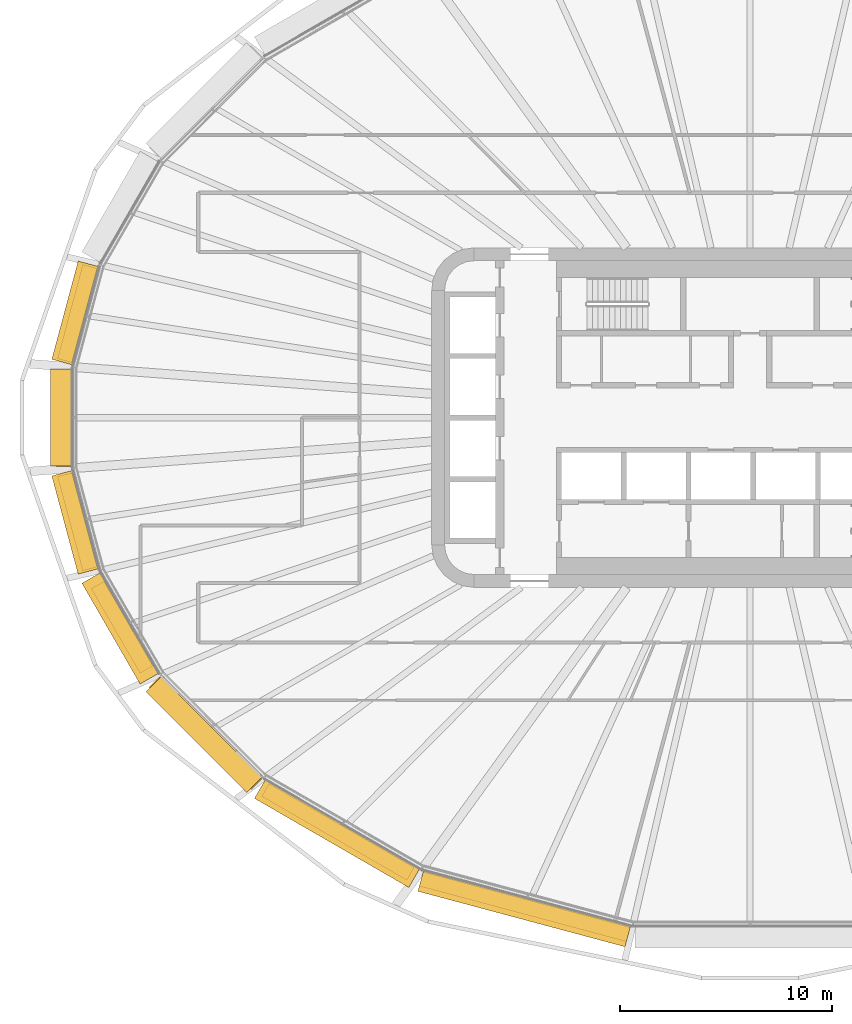
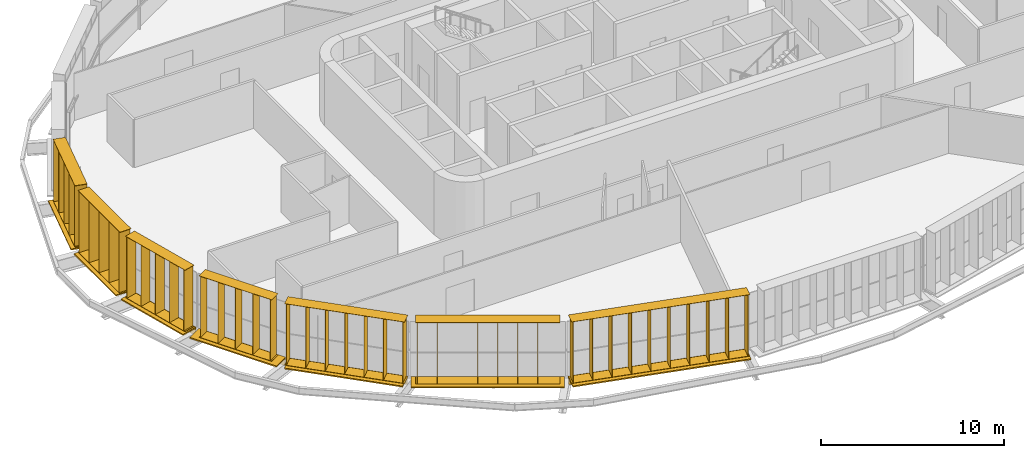
# One storey, part 20 of 25: 14 shading devices.
"""IFC4 building model written with IfcOpenShell, lengths in metres."""

from ifc_helpers import new_model, si_unit, direction, frame, origin, origin_2d, place, context, subcontext, project, spatial, rectangle, extrude, material, type_object, element, save


model = new_model("IFC4")

# Units and contexts
model_context = context("Model", 3, precision=1e-05, world=origin(), true_north=direction((0.0, 1.0)))
body_context = subcontext(model_context, "Body", "Model", "MODEL_VIEW")
ifc_project = project(units=[si_unit("LENGTHUNIT", "METRE"), si_unit("AREAUNIT", "SQUARE_METRE"), si_unit("VOLUMEUNIT", "CUBIC_METRE"), si_unit("PLANEANGLEUNIT", "RADIAN"), si_unit("MASSUNIT", "GRAM", prefix="KILO")], contexts=[model_context])

# Site, building, storey
site_placement = place(None, origin())
site = spatial("IfcSite", under=ifc_project, at=site_placement, CompositionType="ELEMENT")
building_placement = place(site_placement, origin())
building = spatial("IfcBuilding", under=site, at=building_placement, Name="Sahrelin Media Tower", CompositionType="ELEMENT")
storey_placement = place(building_placement, frame((0.0, 0.0, 110.39990234375)))
storey = spatial("IfcBuildingStorey", under=building, at=storey_placement, Name="L21", CompositionType="ELEMENT", Elevation=110.39990234375)

# Shading devices
ifc_material = material(Name="Champagne anodised aluminium 6063-T6", Category="aluminium")
shading_device_type_1 = type_object("IfcShadingDeviceType", Name="Fin cassette", PredefinedType="USERDEFINED", material=ifc_material)
placement_1 = place(storey_placement, frame((-31.298095703125, 4.798583984375, 0.0), z_axis=(0.0, 0.0, 1.0), x_axis=(0.258807731996, 0.965928857556, 0.0)))
element("IfcShadingDevice", 1, at=placement_1, inside=storey, type_object=shading_device_type_1, Name="L21:FIN:L21-11", ObjectType="FIN", PredefinedType="USERDEFINED", context=body_context, shape_type="SweptSolid", body=[
    extrude(rectangle(XDim=4.60009765625, YDim=0.699951171875, at=origin_2d()), frame((0.0, 0.419921875, 0.0)), (0.0, 0.0, 1.0), 0.02001953125),
    extrude(rectangle(XDim=4.60009765625, YDim=0.699951171875, at=origin_2d()), frame((0.0, 0.419921875, 4.10009765625)), (0.0, 0.0, 1.0), 0.02001953125),
    extrude(rectangle(XDim=0.02001953125, YDim=0.699951171875, at=origin_2d()), frame((-2.199951171875, 0.419921875, 0.010009765625), z_axis=(0.0, 0.0, 1.0), x_axis=(1.0, 0.0, 0.0)), (0.0, 0.0, 1.0), 4.10009765625),
    extrude(rectangle(XDim=0.02001953125, YDim=0.699951171875, at=origin_2d()), frame((-1.10009765625, 0.419921875, 0.010009765625), z_axis=(0.0, 0.0, 1.0), x_axis=(1.0, 0.0, 0.0)), (0.0, 0.0, 1.0), 4.10009765625),
    extrude(rectangle(XDim=0.02001953125, YDim=0.699951171875, at=origin_2d()), frame((0.0, 0.419921875, 0.010009765625), z_axis=(0.0, 0.0, 1.0), x_axis=(1.0, 0.0, 0.0)), (0.0, 0.0, 1.0), 4.10009765625),
    extrude(rectangle(XDim=0.02001953125, YDim=0.699951171875, at=origin_2d()), frame((1.10009765625, 0.419921875, 0.010009765625), z_axis=(0.0, 0.0, 1.0), x_axis=(1.0, 0.0, 0.0)), (0.0, 0.0, 1.0), 4.10009765625),
    extrude(rectangle(XDim=0.02001953125, YDim=0.699951171875, at=origin_2d()), frame((2.199951171875, 0.419921875, 0.010009765625), z_axis=(0.0, 0.0, 1.0), x_axis=(1.0, 0.0, 0.0)), (0.0, 0.0, 1.0), 4.10009765625),
])
placement_2 = place(storey_placement, frame((-31.9443359375, 0.0, 0.0), z_axis=(0.0, 0.0, 1.0), x_axis=(0.0, 1.0, 0.0)))
element("IfcShadingDevice", 2, at=placement_2, inside=storey, type_object=shading_device_type_1, Name="L21:FIN:L21-12", ObjectType="FIN", PredefinedType="USERDEFINED", context=body_context, shape_type="SweptSolid", body=[
    extrude(rectangle(XDim=4.60009765625, YDim=0.699951171875, at=origin_2d()), frame((0.0, 0.419921875, 0.0)), (0.0, 0.0, 1.0), 0.02001953125),
    extrude(rectangle(XDim=4.60009765625, YDim=0.699951171875, at=origin_2d()), frame((0.0, 0.419921875, 4.10009765625)), (0.0, 0.0, 1.0), 0.02001953125),
    extrude(rectangle(XDim=0.02001953125, YDim=0.699951171875, at=origin_2d()), frame((-2.199951171875, 0.419921875, 0.010009765625), z_axis=(0.0, 0.0, 1.0), x_axis=(1.0, 0.0, 0.0)), (0.0, 0.0, 1.0), 4.10009765625),
    extrude(rectangle(XDim=0.02001953125, YDim=0.699951171875, at=origin_2d()), frame((-1.10009765625, 0.419921875, 0.010009765625), z_axis=(0.0, 0.0, 1.0), x_axis=(1.0, 0.0, 0.0)), (0.0, 0.0, 1.0), 4.10009765625),
    extrude(rectangle(XDim=0.02001953125, YDim=0.699951171875, at=origin_2d()), frame((0.0, 0.419921875, 0.010009765625), z_axis=(0.0, 0.0, 1.0), x_axis=(1.0, 0.0, 0.0)), (0.0, 0.0, 1.0), 4.10009765625),
    extrude(rectangle(XDim=0.02001953125, YDim=0.699951171875, at=origin_2d()), frame((1.10009765625, 0.419921875, 0.010009765625), z_axis=(0.0, 0.0, 1.0), x_axis=(1.0, 0.0, 0.0)), (0.0, 0.0, 1.0), 4.10009765625),
    extrude(rectangle(XDim=0.02001953125, YDim=0.699951171875, at=origin_2d()), frame((2.199951171875, 0.419921875, 0.010009765625), z_axis=(0.0, 0.0, 1.0), x_axis=(1.0, 0.0, 0.0)), (0.0, 0.0, 1.0), 4.10009765625),
])
placement_3 = place(storey_placement, frame((-31.298095703125, -4.798828125, 0.0), z_axis=(0.0, 0.0, 1.0), x_axis=(-0.258807731996, 0.965928857556, 0.0)))
element("IfcShadingDevice", 3, at=placement_3, inside=storey, type_object=shading_device_type_1, Name="L21:FIN:L21-13", ObjectType="FIN", PredefinedType="USERDEFINED", context=body_context, shape_type="SweptSolid", body=[
    extrude(rectangle(XDim=4.60009765625, YDim=0.699951171875, at=origin_2d()), frame((0.0, 0.419921875, 0.0)), (0.0, 0.0, 1.0), 0.02001953125),
    extrude(rectangle(XDim=4.60009765625, YDim=0.699951171875, at=origin_2d()), frame((0.0, 0.419921875, 4.10009765625)), (0.0, 0.0, 1.0), 0.02001953125),
    extrude(rectangle(XDim=0.02001953125, YDim=0.699951171875, at=origin_2d()), frame((-2.199951171875, 0.419921875, 0.010009765625), z_axis=(0.0, 0.0, 1.0), x_axis=(1.0, 0.0, 0.0)), (0.0, 0.0, 1.0), 4.10009765625),
    extrude(rectangle(XDim=0.02001953125, YDim=0.699951171875, at=origin_2d()), frame((-1.10009765625, 0.419921875, 0.010009765625), z_axis=(0.0, 0.0, 1.0), x_axis=(1.0, 0.0, 0.0)), (0.0, 0.0, 1.0), 4.10009765625),
    extrude(rectangle(XDim=0.02001953125, YDim=0.699951171875, at=origin_2d()), frame((0.0, 0.419921875, 0.010009765625), z_axis=(0.0, 0.0, 1.0), x_axis=(1.0, 0.0, 0.0)), (0.0, 0.0, 1.0), 4.10009765625),
    extrude(rectangle(XDim=0.02001953125, YDim=0.699951171875, at=origin_2d()), frame((1.10009765625, 0.419921875, 0.010009765625), z_axis=(0.0, 0.0, 1.0), x_axis=(1.0, 0.0, 0.0)), (0.0, 0.0, 1.0), 4.10009765625),
    extrude(rectangle(XDim=0.02001953125, YDim=0.699951171875, at=origin_2d()), frame((2.199951171875, 0.419921875, 0.010009765625), z_axis=(0.0, 0.0, 1.0), x_axis=(1.0, 0.0, 0.0)), (0.0, 0.0, 1.0), 4.10009765625),
])
placement_4 = place(storey_placement, frame((-29.231689453125, -9.67041015625, 0.0), z_axis=(0.0, 0.0, 1.0), x_axis=(-0.500011000363, 0.866019052629, 0.0)))
element("IfcShadingDevice", 4, at=placement_4, inside=storey, type_object=shading_device_type_1, Name="L21:FIN:L21-14", ObjectType="FIN", PredefinedType="USERDEFINED", context=body_context, shape_type="SweptSolid", body=[
    extrude(rectangle(XDim=4.60009765625, YDim=0.699951171875, at=origin_2d()), frame((0.0, 0.419921875, 0.0)), (0.0, 0.0, 1.0), 0.02001953125),
    extrude(rectangle(XDim=4.60009765625, YDim=0.699951171875, at=origin_2d()), frame((0.0, 0.419921875, 4.10009765625)), (0.0, 0.0, 1.0), 0.02001953125),
    extrude(rectangle(XDim=0.02001953125, YDim=0.699951171875, at=origin_2d()), frame((-2.199951171875, 0.419921875, 0.010009765625), z_axis=(0.0, 0.0, 1.0), x_axis=(1.0, 0.0, 0.0)), (0.0, 0.0, 1.0), 4.10009765625),
    extrude(rectangle(XDim=0.02001953125, YDim=0.699951171875, at=origin_2d()), frame((-1.10009765625, 0.419921875, 0.010009765625), z_axis=(0.0, 0.0, 1.0), x_axis=(1.0, 0.0, 0.0)), (0.0, 0.0, 1.0), 4.10009765625),
    extrude(rectangle(XDim=0.02001953125, YDim=0.699951171875, at=origin_2d()), frame((0.0, 0.419921875, 0.010009765625), z_axis=(0.0, 0.0, 1.0), x_axis=(1.0, 0.0, 0.0)), (0.0, 0.0, 1.0), 4.10009765625),
    extrude(rectangle(XDim=0.02001953125, YDim=0.699951171875, at=origin_2d()), frame((1.10009765625, 0.419921875, 0.010009765625), z_axis=(0.0, 0.0, 1.0), x_axis=(1.0, 0.0, 0.0)), (0.0, 0.0, 1.0), 4.10009765625),
    extrude(rectangle(XDim=0.02001953125, YDim=0.699951171875, at=origin_2d()), frame((2.199951171875, 0.419921875, 0.010009765625), z_axis=(0.0, 0.0, 1.0), x_axis=(1.0, 0.0, 0.0)), (0.0, 0.0, 1.0), 4.10009765625),
])
placement_5 = place(storey_placement, frame((-25.371337890625, -14.5703125, 0.0), z_axis=(0.0, 0.0, 1.0), x_axis=(-0.707106781187, 0.707106781187, 0.0)))
element("IfcShadingDevice", 5, at=placement_5, inside=storey, type_object=shading_device_type_1, Name="L21:FIN:L21-15", ObjectType="FIN", PredefinedType="USERDEFINED", context=body_context, shape_type="SweptSolid", body=[
    extrude(rectangle(XDim=6.800048828125, YDim=0.699951171875, at=origin_2d()), frame((0.0, 0.419921875, 0.0)), (0.0, 0.0, 1.0), 0.02001953125),
    extrude(rectangle(XDim=6.800048828125, YDim=0.699951171875, at=origin_2d()), frame((0.0, 0.419921875, 4.10009765625)), (0.0, 0.0, 1.0), 0.02001953125),
    extrude(rectangle(XDim=0.02001953125, YDim=0.699951171875, at=origin_2d()), frame((-3.300048828125, 0.419921875, 0.010009765625), z_axis=(0.0, 0.0, 1.0), x_axis=(1.0, 0.0, 0.0)), (0.0, 0.0, 1.0), 4.10009765625),
    extrude(rectangle(XDim=0.02001953125, YDim=0.699951171875, at=origin_2d()), frame((-2.199951171875, 0.419921875, 0.010009765625), z_axis=(0.0, 0.0, 1.0), x_axis=(1.0, 0.0, 0.0)), (0.0, 0.0, 1.0), 4.10009765625),
    extrude(rectangle(XDim=0.02001953125, YDim=0.699951171875, at=origin_2d()), frame((-1.10009765625, 0.419921875, 0.010009765625), z_axis=(0.0, 0.0, 1.0), x_axis=(1.0, 0.0, 0.0)), (0.0, 0.0, 1.0), 4.10009765625),
    extrude(rectangle(XDim=0.02001953125, YDim=0.699951171875, at=origin_2d()), frame((0.0, 0.419921875, 0.010009765625), z_axis=(0.0, 0.0, 1.0), x_axis=(1.0, 0.0, 0.0)), (0.0, 0.0, 1.0), 4.10009765625),
    extrude(rectangle(XDim=0.02001953125, YDim=0.699951171875, at=origin_2d()), frame((1.10009765625, 0.419921875, 0.010009765625), z_axis=(0.0, 0.0, 1.0), x_axis=(1.0, 0.0, 0.0)), (0.0, 0.0, 1.0), 4.10009765625),
    extrude(rectangle(XDim=0.02001953125, YDim=0.699951171875, at=origin_2d()), frame((2.199951171875, 0.419921875, 0.010009765625), z_axis=(0.0, 0.0, 1.0), x_axis=(1.0, 0.0, 0.0)), (0.0, 0.0, 1.0), 4.10009765625),
    extrude(rectangle(XDim=0.02001953125, YDim=0.699951171875, at=origin_2d()), frame((3.300048828125, 0.419921875, 0.010009765625), z_axis=(0.0, 0.0, 1.0), x_axis=(1.0, 0.0, 0.0)), (0.0, 0.0, 1.0), 4.10009765625),
])
placement_6 = place(storey_placement, frame((-19.20751953125, -19.160400390625, 0.0), z_axis=(0.0, 0.0, 1.0), x_axis=(-0.866019052629, 0.500011000363, 0.0)))
element("IfcShadingDevice", 6, at=placement_6, inside=storey, type_object=shading_device_type_1, Name="L21:FIN:L21-16", ObjectType="FIN", PredefinedType="USERDEFINED", context=body_context, shape_type="SweptSolid", body=[
    extrude(rectangle(XDim=7.89990234375, YDim=0.699951171875, at=origin_2d()), frame((0.0, 0.419921875, 0.0)), (0.0, 0.0, 1.0), 0.02001953125),
    extrude(rectangle(XDim=7.89990234375, YDim=0.699951171875, at=origin_2d()), frame((0.0, 0.419921875, 4.10009765625)), (0.0, 0.0, 1.0), 0.02001953125),
    extrude(rectangle(XDim=0.02001953125, YDim=0.699951171875, at=origin_2d()), frame((-3.85009765625, 0.419921875, 0.010009765625), z_axis=(0.0, 0.0, 1.0), x_axis=(1.0, 0.0, 0.0)), (0.0, 0.0, 1.0), 4.10009765625),
    extrude(rectangle(XDim=0.02001953125, YDim=0.699951171875, at=origin_2d()), frame((-2.75, 0.419921875, 0.010009765625), z_axis=(0.0, 0.0, 1.0), x_axis=(1.0, 0.0, 0.0)), (0.0, 0.0, 1.0), 4.10009765625),
    extrude(rectangle(XDim=0.02001953125, YDim=0.699951171875, at=origin_2d()), frame((-1.64990234375, 0.419921875, 0.010009765625), z_axis=(0.0, 0.0, 1.0), x_axis=(1.0, 0.0, 0.0)), (0.0, 0.0, 1.0), 4.10009765625),
    extrude(rectangle(XDim=0.02001953125, YDim=0.699951171875, at=origin_2d()), frame((-0.550048828125, 0.419921875, 0.010009765625), z_axis=(0.0, 0.0, 1.0), x_axis=(1.0, 0.0, 0.0)), (0.0, 0.0, 1.0), 4.10009765625),
    extrude(rectangle(XDim=0.02001953125, YDim=0.699951171875, at=origin_2d()), frame((0.550048828125, 0.419921875, 0.010009765625), z_axis=(0.0, 0.0, 1.0), x_axis=(1.0, 0.0, 0.0)), (0.0, 0.0, 1.0), 4.10009765625),
    extrude(rectangle(XDim=0.02001953125, YDim=0.699951171875, at=origin_2d()), frame((1.64990234375, 0.419921875, 0.010009765625), z_axis=(0.0, 0.0, 1.0), x_axis=(1.0, 0.0, 0.0)), (0.0, 0.0, 1.0), 4.10009765625),
    extrude(rectangle(XDim=0.02001953125, YDim=0.699951171875, at=origin_2d()), frame((2.75, 0.419921875, 0.010009765625), z_axis=(0.0, 0.0, 1.0), x_axis=(1.0, 0.0, 0.0)), (0.0, 0.0, 1.0), 4.10009765625),
    extrude(rectangle(XDim=0.02001953125, YDim=0.699951171875, at=origin_2d()), frame((3.85009765625, 0.419921875, 0.010009765625), z_axis=(0.0, 0.0, 1.0), x_axis=(1.0, 0.0, 0.0)), (0.0, 0.0, 1.0), 4.10009765625),
])
placement_7 = place(storey_placement, frame((-10.507080078125, -22.643798828125, 0.0), z_axis=(0.0, 0.0, 1.0), x_axis=(-0.965928857556, 0.258807731996, 0.0)))
element("IfcShadingDevice", 7, at=placement_7, inside=storey, type_object=shading_device_type_1, Name="L21:FIN:L21-17", ObjectType="FIN", PredefinedType="USERDEFINED", context=body_context, shape_type="SweptSolid", body=[
    extrude(rectangle(XDim=10.10009765625, YDim=0.699951171875, at=origin_2d()), frame((0.0, 0.419921875, 0.0)), (0.0, 0.0, 1.0), 0.02001953125),
    extrude(rectangle(XDim=10.10009765625, YDim=0.699951171875, at=origin_2d()), frame((0.0, 0.419921875, 4.10009765625)), (0.0, 0.0, 1.0), 0.02001953125),
    extrude(rectangle(XDim=0.02001953125, YDim=0.699951171875, at=origin_2d()), frame((-4.949951171875, 0.419921875, 0.010009765625), z_axis=(0.0, 0.0, 1.0), x_axis=(1.0, 0.0, 0.0)), (0.0, 0.0, 1.0), 4.10009765625),
    extrude(rectangle(XDim=0.02001953125, YDim=0.699951171875, at=origin_2d()), frame((-3.85009765625, 0.419921875, 0.010009765625), z_axis=(0.0, 0.0, 1.0), x_axis=(1.0, 0.0, 0.0)), (0.0, 0.0, 1.0), 4.10009765625),
    extrude(rectangle(XDim=0.02001953125, YDim=0.699951171875, at=origin_2d()), frame((-2.75, 0.419921875, 0.010009765625), z_axis=(0.0, 0.0, 1.0), x_axis=(1.0, 0.0, 0.0)), (0.0, 0.0, 1.0), 4.10009765625),
    extrude(rectangle(XDim=0.02001953125, YDim=0.699951171875, at=origin_2d()), frame((-1.64990234375, 0.419921875, 0.010009765625), z_axis=(0.0, 0.0, 1.0), x_axis=(1.0, 0.0, 0.0)), (0.0, 0.0, 1.0), 4.10009765625),
    extrude(rectangle(XDim=0.02001953125, YDim=0.699951171875, at=origin_2d()), frame((-0.550048828125, 0.419921875, 0.010009765625), z_axis=(0.0, 0.0, 1.0), x_axis=(1.0, 0.0, 0.0)), (0.0, 0.0, 1.0), 4.10009765625),
    extrude(rectangle(XDim=0.02001953125, YDim=0.699951171875, at=origin_2d()), frame((0.550048828125, 0.419921875, 0.010009765625), z_axis=(0.0, 0.0, 1.0), x_axis=(1.0, 0.0, 0.0)), (0.0, 0.0, 1.0), 4.10009765625),
    extrude(rectangle(XDim=0.02001953125, YDim=0.699951171875, at=origin_2d()), frame((1.64990234375, 0.419921875, 0.010009765625), z_axis=(0.0, 0.0, 1.0), x_axis=(1.0, 0.0, 0.0)), (0.0, 0.0, 1.0), 4.10009765625),
    extrude(rectangle(XDim=0.02001953125, YDim=0.699951171875, at=origin_2d()), frame((2.75, 0.419921875, 0.010009765625), z_axis=(0.0, 0.0, 1.0), x_axis=(1.0, 0.0, 0.0)), (0.0, 0.0, 1.0), 4.10009765625),
    extrude(rectangle(XDim=0.02001953125, YDim=0.699951171875, at=origin_2d()), frame((3.85009765625, 0.419921875, 0.010009765625), z_axis=(0.0, 0.0, 1.0), x_axis=(1.0, 0.0, 0.0)), (0.0, 0.0, 1.0), 4.10009765625),
    extrude(rectangle(XDim=0.02001953125, YDim=0.699951171875, at=origin_2d()), frame((4.949951171875, 0.419921875, 0.010009765625), z_axis=(0.0, 0.0, 1.0), x_axis=(1.0, 0.0, 0.0)), (0.0, 0.0, 1.0), 4.10009765625),
])
shading_device_type_2 = type_object("IfcShadingDeviceType", Name="Sunshade band", PredefinedType="USERDEFINED", material=ifc_material)
element("IfcShadingDevice", 8, at=placement_1, inside=storey, type_object=shading_device_type_2, Name="L21:SUN:L21-11", ObjectType="SUNSHADE", PredefinedType="USERDEFINED", context=body_context, shape_type="SweptSolid", body=[
    extrude(rectangle(XDim=4.793212890625, YDim=0.050048828125, at=origin_2d()), frame((0.0, 0.044921875, -0.55126953125)), (0.0, 0.0, 1.0), 0.471435546875),
    extrude(rectangle(XDim=4.793212890625, YDim=1.0, at=origin_2d()), frame((0.0, 0.52001953125, -0.080078125)), (0.0, 0.0, 1.0), 0.080078125),
    extrude(rectangle(XDim=0.10009765625, YDim=0.074951171875, at=origin_2d()), frame((-2.296630859375, -0.017578125, -0.47021484375)), (0.0, 0.0, 1.0), 0.300048828125),
    extrude(rectangle(XDim=0.10009765625, YDim=0.074951171875, at=origin_2d()), frame((-0.765380859375, -0.017578125, -0.47021484375)), (0.0, 0.0, 1.0), 0.300048828125),
    extrude(rectangle(XDim=0.10009765625, YDim=0.074951171875, at=origin_2d()), frame((0.765380859375, -0.017578125, -0.47021484375)), (0.0, 0.0, 1.0), 0.300048828125),
    extrude(rectangle(XDim=0.10009765625, YDim=0.074951171875, at=origin_2d()), frame((2.296630859375, -0.017578125, -0.47021484375)), (0.0, 0.0, 1.0), 0.300048828125),
])
element("IfcShadingDevice", 9, at=placement_2, inside=storey, type_object=shading_device_type_2, Name="L21:SUN:L21-12", ObjectType="SUNSHADE", PredefinedType="USERDEFINED", context=body_context, shape_type="SweptSolid", body=[
    extrude(rectangle(XDim=4.574462890625, YDim=0.050048828125, at=origin_2d()), frame((0.0, 0.044921875, -0.55126953125)), (0.0, 0.0, 1.0), 0.471435546875),
    extrude(rectangle(XDim=4.574462890625, YDim=1.0, at=origin_2d()), frame((0.0, 0.52001953125, -0.080078125)), (0.0, 0.0, 1.0), 0.080078125),
    extrude(rectangle(XDim=0.10009765625, YDim=0.074951171875, at=origin_2d()), frame((-2.187255859375, -0.017578125, -0.47021484375)), (0.0, 0.0, 1.0), 0.300048828125),
    extrude(rectangle(XDim=0.10009765625, YDim=0.074951171875, at=origin_2d()), frame((-0.72900390625, -0.017578125, -0.47021484375)), (0.0, 0.0, 1.0), 0.300048828125),
    extrude(rectangle(XDim=0.10009765625, YDim=0.074951171875, at=origin_2d()), frame((0.72900390625, -0.017578125, -0.47021484375)), (0.0, 0.0, 1.0), 0.300048828125),
    extrude(rectangle(XDim=0.10009765625, YDim=0.074951171875, at=origin_2d()), frame((2.187255859375, -0.017578125, -0.47021484375)), (0.0, 0.0, 1.0), 0.300048828125),
])
element("IfcShadingDevice", 10, at=placement_3, inside=storey, type_object=shading_device_type_2, Name="L21:SUN:L21-13", ObjectType="SUNSHADE", PredefinedType="USERDEFINED", context=body_context, shape_type="SweptSolid", body=[
    extrude(rectangle(XDim=4.793212890625, YDim=0.050048828125, at=origin_2d()), frame((0.0, 0.044921875, -0.55126953125)), (0.0, 0.0, 1.0), 0.471435546875),
    extrude(rectangle(XDim=4.793212890625, YDim=1.0, at=origin_2d()), frame((0.0, 0.52001953125, -0.080078125)), (0.0, 0.0, 1.0), 0.080078125),
    extrude(rectangle(XDim=0.10009765625, YDim=0.074951171875, at=origin_2d()), frame((-2.296630859375, -0.017578125, -0.47021484375)), (0.0, 0.0, 1.0), 0.300048828125),
    extrude(rectangle(XDim=0.10009765625, YDim=0.074951171875, at=origin_2d()), frame((-0.765380859375, -0.017578125, -0.47021484375)), (0.0, 0.0, 1.0), 0.300048828125),
    extrude(rectangle(XDim=0.10009765625, YDim=0.074951171875, at=origin_2d()), frame((0.765380859375, -0.017578125, -0.47021484375)), (0.0, 0.0, 1.0), 0.300048828125),
    extrude(rectangle(XDim=0.10009765625, YDim=0.074951171875, at=origin_2d()), frame((2.296630859375, -0.017578125, -0.47021484375)), (0.0, 0.0, 1.0), 0.300048828125),
])
element("IfcShadingDevice", 11, at=placement_4, inside=storey, type_object=shading_device_type_2, Name="L21:SUN:L21-14", ObjectType="SUNSHADE", PredefinedType="USERDEFINED", context=body_context, shape_type="SweptSolid", body=[
    extrude(rectangle(XDim=5.481201171875, YDim=0.050048828125, at=origin_2d()), frame((0.0, 0.044921875, -0.55126953125)), (0.0, 0.0, 1.0), 0.471435546875),
    extrude(rectangle(XDim=5.481201171875, YDim=1.0, at=origin_2d()), frame((0.0, 0.52001953125, -0.080078125)), (0.0, 0.0, 1.0), 0.080078125),
    extrude(rectangle(XDim=0.10009765625, YDim=0.074951171875, at=origin_2d()), frame((-2.640625, -0.017578125, -0.47021484375)), (0.0, 0.0, 1.0), 0.300048828125),
    extrude(rectangle(XDim=0.10009765625, YDim=0.074951171875, at=origin_2d()), frame((-0.880126953125, -0.017578125, -0.47021484375)), (0.0, 0.0, 1.0), 0.300048828125),
    extrude(rectangle(XDim=0.10009765625, YDim=0.074951171875, at=origin_2d()), frame((0.880126953125, -0.017578125, -0.47021484375)), (0.0, 0.0, 1.0), 0.300048828125),
    extrude(rectangle(XDim=0.10009765625, YDim=0.074951171875, at=origin_2d()), frame((2.640625, -0.017578125, -0.47021484375)), (0.0, 0.0, 1.0), 0.300048828125),
])
element("IfcShadingDevice", 12, at=placement_5, inside=storey, type_object=shading_device_type_2, Name="L21:SUN:L21-15", ObjectType="SUNSHADE", PredefinedType="USERDEFINED", context=body_context, shape_type="SweptSolid", body=[
    extrude(rectangle(XDim=6.701416015625, YDim=0.050048828125, at=origin_2d()), frame((0.0, 0.044921875, -0.55126953125)), (0.0, 0.0, 1.0), 0.471435546875),
    extrude(rectangle(XDim=6.701416015625, YDim=1.0, at=origin_2d()), frame((0.0, 0.52001953125, -0.080078125)), (0.0, 0.0, 1.0), 0.080078125),
    extrude(rectangle(XDim=0.10009765625, YDim=0.074951171875, at=origin_2d()), frame((-3.250732421875, -0.017578125, -0.47021484375)), (0.0, 0.0, 1.0), 0.300048828125),
    extrude(rectangle(XDim=0.10009765625, YDim=0.074951171875, at=origin_2d()), frame((-1.625244140625, -0.017578125, -0.47021484375)), (0.0, 0.0, 1.0), 0.300048828125),
    extrude(rectangle(XDim=0.10009765625, YDim=0.074951171875, at=origin_2d()), frame((0.0, -0.017578125, -0.47021484375)), (0.0, 0.0, 1.0), 0.300048828125),
    extrude(rectangle(XDim=0.10009765625, YDim=0.074951171875, at=origin_2d()), frame((1.625244140625, -0.017578125, -0.47021484375)), (0.0, 0.0, 1.0), 0.300048828125),
    extrude(rectangle(XDim=0.10009765625, YDim=0.074951171875, at=origin_2d()), frame((3.250732421875, -0.017578125, -0.47021484375)), (0.0, 0.0, 1.0), 0.300048828125),
])
element("IfcShadingDevice", 13, at=placement_6, inside=storey, type_object=shading_device_type_2, Name="L21:SUN:L21-16", ObjectType="SUNSHADE", PredefinedType="USERDEFINED", context=body_context, shape_type="SweptSolid", body=[
    extrude(rectangle(XDim=8.39990234375, YDim=0.050048828125, at=origin_2d()), frame((0.0, 0.044921875, -0.55126953125)), (0.0, 0.0, 1.0), 0.471435546875),
    extrude(rectangle(XDim=8.39990234375, YDim=1.0, at=origin_2d()), frame((0.0, 0.52001953125, -0.080078125)), (0.0, 0.0, 1.0), 0.080078125),
    extrude(rectangle(XDim=0.10009765625, YDim=0.074951171875, at=origin_2d()), frame((-4.10009765625, -0.017578125, -0.47021484375)), (0.0, 0.0, 1.0), 0.300048828125),
    extrude(rectangle(XDim=0.10009765625, YDim=0.074951171875, at=origin_2d()), frame((-2.4599609375, -0.017578125, -0.47021484375)), (0.0, 0.0, 1.0), 0.300048828125),
    extrude(rectangle(XDim=0.10009765625, YDim=0.074951171875, at=origin_2d()), frame((-0.820068359375, -0.017578125, -0.47021484375)), (0.0, 0.0, 1.0), 0.300048828125),
    extrude(rectangle(XDim=0.10009765625, YDim=0.074951171875, at=origin_2d()), frame((0.820068359375, -0.017578125, -0.47021484375)), (0.0, 0.0, 1.0), 0.300048828125),
    extrude(rectangle(XDim=0.10009765625, YDim=0.074951171875, at=origin_2d()), frame((2.4599609375, -0.017578125, -0.47021484375)), (0.0, 0.0, 1.0), 0.300048828125),
    extrude(rectangle(XDim=0.10009765625, YDim=0.074951171875, at=origin_2d()), frame((4.10009765625, -0.017578125, -0.47021484375)), (0.0, 0.0, 1.0), 0.300048828125),
])
element("IfcShadingDevice", 14, at=placement_7, inside=storey, type_object=shading_device_type_2, Name="L21:SUN:L21-17", ObjectType="SUNSHADE", PredefinedType="USERDEFINED", context=body_context, shape_type="SweptSolid", body=[
    extrude(rectangle(XDim=10.103759765625, YDim=0.050048828125, at=origin_2d()), frame((0.0, 0.044921875, -0.55126953125)), (0.0, 0.0, 1.0), 0.471435546875),
    extrude(rectangle(XDim=10.103759765625, YDim=1.0, at=origin_2d()), frame((0.0, 0.52001953125, -0.080078125)), (0.0, 0.0, 1.0), 0.080078125),
    extrude(rectangle(XDim=0.10009765625, YDim=0.074951171875, at=origin_2d()), frame((-4.951904296875, -0.017578125, -0.47021484375)), (0.0, 0.0, 1.0), 0.300048828125),
    extrude(rectangle(XDim=0.10009765625, YDim=0.074951171875, at=origin_2d()), frame((-3.30126953125, -0.017578125, -0.47021484375)), (0.0, 0.0, 1.0), 0.300048828125),
    extrude(rectangle(XDim=0.10009765625, YDim=0.074951171875, at=origin_2d()), frame((-1.650634765625, -0.017578125, -0.47021484375)), (0.0, 0.0, 1.0), 0.300048828125),
    extrude(rectangle(XDim=0.10009765625, YDim=0.074951171875, at=origin_2d()), frame((0.0, -0.017578125, -0.47021484375)), (0.0, 0.0, 1.0), 0.300048828125),
    extrude(rectangle(XDim=0.10009765625, YDim=0.074951171875, at=origin_2d()), frame((1.650634765625, -0.017578125, -0.47021484375)), (0.0, 0.0, 1.0), 0.300048828125),
    extrude(rectangle(XDim=0.10009765625, YDim=0.074951171875, at=origin_2d()), frame((3.30126953125, -0.017578125, -0.47021484375)), (0.0, 0.0, 1.0), 0.300048828125),
    extrude(rectangle(XDim=0.10009765625, YDim=0.074951171875, at=origin_2d()), frame((4.951904296875, -0.017578125, -0.47021484375)), (0.0, 0.0, 1.0), 0.300048828125),
])

save(model, "model.ifc")
